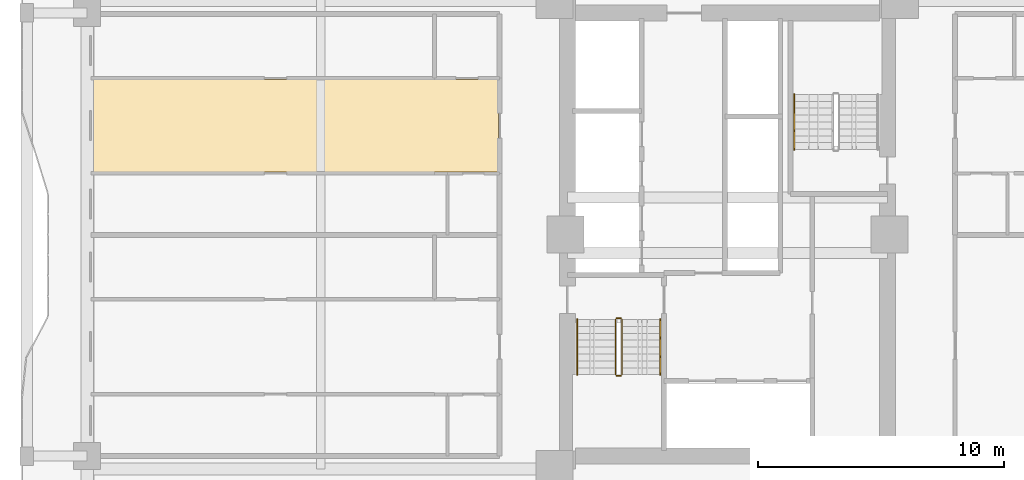
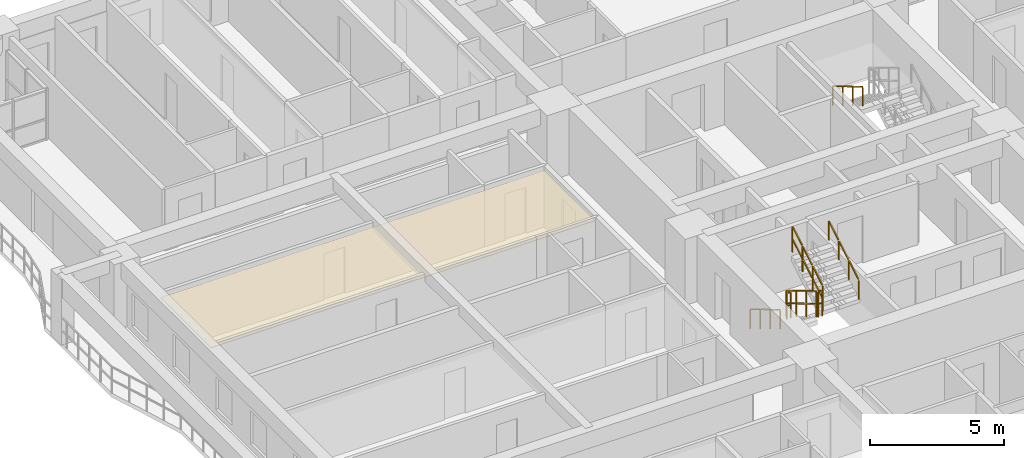
# One storey, part 24 of 27: 7 railings, 1 covering.
"""IFC4 building model written with IfcOpenShell, lengths in metres."""

import ifcopenshell
import ifcopenshell.guid

model = None  # the IFC model being written
_history = None  # IfcOwnerHistory: only IFC2X3 demands one
_inside = {}  # id of a spatial element -> (the spatial element, [elements in it])
_under = {}  # id of a project, library or spatial element -> (it, [spatial elements below it])
_declared = {}  # id of a project -> (the project, [libraries it declares])
_typed = {}  # id of a type object -> (the type object, [elements of that type])
_made_of = {}  # id of a material, layer set ... -> (it, [elements and type objects made of it])


def new_model(schema):
    """Start an empty IFC model of exactly this schema.

    Asked for "IFC4X3", IfcOpenShell would pick the latest addendum, in which some entities
    have other attributes; the version numbers below select the first issue.
    IFC2X3 requires an IfcOwnerHistory on every rooted entity: one is made here for all.
    """
    global model, _history
    if schema == "IFC4X3":
        model = ifcopenshell.file(schema_version=(4, 3, 0, 0))
    else:
        model = ifcopenshell.file(schema=schema)
    _inside.clear()
    _under.clear()
    _declared.clear()
    _typed.clear()
    _made_of.clear()
    _history = None
    if model.schema == "IFC2X3":
        org = make("IfcOrganization", Name="unknown")
        user = make(
            "IfcPersonAndOrganization",
            ThePerson=make("IfcPerson", FamilyName="unknown"),
            TheOrganization=org,
        )
        app = make(
            "IfcApplication",
            ApplicationDeveloper=org,
            Version="unknown",
            ApplicationFullName="unknown",
            ApplicationIdentifier="unknown",
        )
        _history = make(
            "IfcOwnerHistory",
            OwningUser=user,
            OwningApplication=app,
            ChangeAction="ADDED",
            CreationDate=0,
        )
    return model


def make(cls, **values):
    """One entity of the class cls with the attributes given. An attribute that is None is left unset."""
    return model.create_entity(
        cls, **{name: value for name, value in values.items() if value is not None}
    )


def rooted(cls, **values):
    """An entity with a GlobalId (a new one), such as an element, a storey or a relation."""
    return make(cls, GlobalId=ifcopenshell.guid.new(), OwnerHistory=_history, **values)


def si_unit(unit_type, name, prefix=None):
    """IfcSIUnit, for example si_unit("LENGTHUNIT", "METRE", prefix="MILLI")."""
    return make("IfcSIUnit", UnitType=unit_type, Prefix=prefix, Name=name)


def assignment(units):
    """IfcUnitAssignment: the units of a project."""
    return None if units is None else make("IfcUnitAssignment", Units=units)


def point(xyz):
    """IfcCartesianPoint."""
    return None if xyz is None else make("IfcCartesianPoint", Coordinates=xyz)


def direction(xyz):
    """IfcDirection."""
    return None if xyz is None else make("IfcDirection", DirectionRatios=xyz)


def frame(location, z_axis=None, x_axis=None):
    """IfcAxis2Placement3D, a coordinate frame: its origin and axes. An axis left out is left unset."""
    return make(
        "IfcAxis2Placement3D",
        Location=point(location),
        Axis=direction(z_axis),
        RefDirection=direction(x_axis),
    )


def frame_2d(location, x_axis=None):
    """IfcAxis2Placement2D, a coordinate frame in the plane: its origin and x axis."""
    return make(
        "IfcAxis2Placement2D", Location=point(location), RefDirection=direction(x_axis)
    )


def origin():
    """The frame at (0, 0, 0) with its axes left unset."""
    return frame((0.0, 0.0, 0.0))


def origin_2d():
    """The frame at (0, 0) in the plane with its x axis left unset."""
    return frame_2d((0.0, 0.0))


def place(relative_to, where):
    """IfcLocalPlacement: puts the frame where relative to a parent placement (None: the world)."""
    return make(
        "IfcLocalPlacement", PlacementRelTo=relative_to, RelativePlacement=where
    )


def context(
    kind, dimensions, precision=None, world=None, true_north=None, identifier=None
):
    """IfcGeometricRepresentationContext, for example the 3D "Model" context."""
    return make(
        "IfcGeometricRepresentationContext",
        ContextIdentifier=identifier,
        ContextType=kind,
        CoordinateSpaceDimension=dimensions,
        Precision=precision,
        WorldCoordinateSystem=world,
        TrueNorth=true_north,
    )


def subcontext(parent, identifier, kind, view, scale=None):
    """IfcGeometricRepresentationSubContext, for example "Body" below "Model"."""
    return make(
        "IfcGeometricRepresentationSubContext",
        ContextIdentifier=identifier,
        ContextType=kind,
        ParentContext=parent,
        TargetScale=scale,
        TargetView=view,
    )


def project(units=None, contexts=None):
    """IfcProject with its units and contexts."""
    return rooted(
        "IfcProject",
        Name="project",
        RepresentationContexts=contexts,
        UnitsInContext=assignment(units),
    )


def spatial(cls, under=None, at=None, **own):
    """A site, building, storey or space (cls), placed at a placement, below another one or the project."""
    s = rooted(cls, ObjectPlacement=at, **own)
    if under is not None:
        _under.setdefault(under.id(), (under, []))[1].append(s)
    return s


def polyline(points):
    """IfcPolyline through the points."""
    return make("IfcPolyline", Points=[point(p) for p in points])


def profile(cls, at=None, kind="AREA", **sizes):
    """A parametric profile (cls). Its sizes go by their IFC names, for example OverallWidth=200.0."""
    return make(cls, ProfileType=kind, Position=at, **sizes)


def rectangle(**sizes):
    """IfcRectangleProfileDef."""
    return profile("IfcRectangleProfileDef", **sizes)


def outline(outer, holes=None, kind="AREA"):
    """IfcArbitraryClosedProfileDef: a profile drawn as a closed curve; with holes, ...WithVoids."""
    if holes is None:
        return make("IfcArbitraryClosedProfileDef", ProfileType=kind, OuterCurve=outer)
    return make(
        "IfcArbitraryProfileDefWithVoids",
        ProfileType=kind,
        OuterCurve=outer,
        InnerCurves=holes,
    )


def extrude(swept, where, along, depth):
    """IfcExtrudedAreaSolid: the profile swept, set in the frame where, extruded along a direction by depth."""
    return make(
        "IfcExtrudedAreaSolid",
        SweptArea=swept,
        Position=where,
        ExtrudedDirection=direction(along),
        Depth=depth,
    )


def shape(context_of_items, identifier, shape_type, items):
    """IfcShapeRepresentation: the items that make up one representation, for example the "Body"."""
    return make(
        "IfcShapeRepresentation",
        ContextOfItems=context_of_items,
        RepresentationIdentifier=identifier,
        RepresentationType=shape_type,
        Items=items,
    )


def material(Name=None, Category=None):
    """IfcMaterial."""
    return make("IfcMaterial", Name=Name, Category=Category)


def layer(
    of_material, thickness, ventilated=None, Name=None, Category=None, Priority=None
):
    """IfcMaterialLayer: one layer of a wall or slab, of a material (None: an air gap)."""
    return make(
        "IfcMaterialLayer",
        Material=of_material,
        LayerThickness=thickness,
        IsVentilated=ventilated,
        Name=Name,
        Category=Category,
        Priority=Priority,
    )


def layer_set(layers, Name=None):
    """IfcMaterialLayerSet."""
    return make("IfcMaterialLayerSet", MaterialLayers=layers, LayerSetName=Name)


def made_of(thing, what):
    """Note that an element or type object is made of a material, layer set ...; save() writes the relation."""
    if what is not None:
        _made_of.setdefault(what.id(), (what, []))[1].append(thing)
    return thing


def type_object(cls, material=None, **own):
    """A type object (cls), such as IfcWallType, which elements share."""
    return made_of(rooted(cls, **own), material)


def element(
    cls,
    number,
    at=None,
    inside=None,
    cuts=None,
    type_object=None,
    material=None,
    context=None,
    identifier="Body",
    shape_type=None,
    held_by="IfcProductDefinitionShape",
    body=None,
    shapes=None,
    **own,
):
    """One element of the class cls, such as IfcWall. Its Tag is "e" and its number.

    at: its placement. inside: the storey or other place that contains it. cuts: it is an
    opening in that element (IfcRelVoidsElement). A single representation is given by context,
    identifier, shape_type and body (its items); several are given by shapes. held_by: the class
    of the entity that holds the representations. save() writes the other relations.
    """
    e = rooted(cls, Tag="e%d" % number, ObjectPlacement=at, **own)
    if body is not None:
        shapes = [shape(context, identifier, shape_type, body)]
    if shapes is not None:
        e.Representation = make(held_by, Representations=shapes)
    if inside is not None:
        _inside.setdefault(inside.id(), (inside, []))[1].append(e)
    if cuts is not None:
        rooted(
            "IfcRelVoidsElement", RelatingBuildingElement=cuts, RelatedOpeningElement=e
        )
    if type_object is not None:
        _typed.setdefault(type_object.id(), (type_object, []))[1].append(e)
    return made_of(e, material)


def aggregate(whole, parts):
    """IfcRelAggregates: a whole, such as a stair, and the parts it consists of."""
    return rooted("IfcRelAggregates", RelatingObject=whole, RelatedObjects=parts)


def save(model, path):
    """Write the relations noted so far, then the file.

    IfcRelAggregates (storeys below a building ...), IfcRelContainedInSpatialStructure (elements
    in a storey), IfcRelDefinesByType, IfcRelAssociatesMaterial and IfcRelDeclares: one each for
    every whole, place, type object, material and project.
    """
    for whole, parts in _under.values():
        aggregate(whole, parts)
    for where, things in _inside.values():
        rooted(
            "IfcRelContainedInSpatialStructure",
            RelatedElements=things,
            RelatingStructure=where,
        )
    for kind, things in _typed.values():
        rooted("IfcRelDefinesByType", RelatedObjects=things, RelatingType=kind)
    for what, things in _made_of.values():
        rooted("IfcRelAssociatesMaterial", RelatedObjects=things, RelatingMaterial=what)
    for by, libraries in _declared.values():
        rooted("IfcRelDeclares", RelatingContext=by, RelatedDefinitions=libraries)
    model.write(path)


model = new_model("IFC4")

# Units and contexts
model_context = context("Model", 3, precision=1e-05, world=origin(), true_north=direction((0.0, 1.0)))
body_context = subcontext(model_context, "Body", "Model", "MODEL_VIEW")
ifc_project = project(units=[si_unit("LENGTHUNIT", "METRE"), si_unit("AREAUNIT", "SQUARE_METRE"), si_unit("VOLUMEUNIT", "CUBIC_METRE"), si_unit("PLANEANGLEUNIT", "RADIAN"), si_unit("MASSUNIT", "GRAM", prefix="KILO")], contexts=[model_context])

# Site, building, storey
site_placement = place(None, origin())
site = spatial("IfcSite", under=ifc_project, at=site_placement, CompositionType="ELEMENT")
building_placement = place(site_placement, origin())
building = spatial("IfcBuilding", under=site, at=building_placement, Name="Saelheon Loggia Tower", CompositionType="ELEMENT")
storey_placement = place(building_placement, frame((0.0, 0.0, 52.39990234375)))
storey = spatial("IfcBuildingStorey", under=building, at=storey_placement, Name="L16", CompositionType="ELEMENT", Elevation=52.39990234375)

# Covering
ifc_material_1 = material(Name="Mineral-Fibre Acoustic Ceiling Board", Category="gypsum")
ifc_layer = layer(ifc_material_1, 0.02490234375)
ifc_layer_set = layer_set([ifc_layer], Name="Mineral-Fibre Acoustic Ceiling Board")
covering_type = type_object("IfcCoveringType", Name="Cov_Ceiling_Acoustic", PredefinedType="CEILING", material=ifc_layer_set)
covering_placement = place(storey_placement, frame((0.0, 0.0, 2.53515625)))
element("IfcCovering", 1, at=covering_placement, inside=storey, type_object=covering_type, Name="L16 Acoustic Suspended Ceiling", PredefinedType="CEILING", context=body_context, shape_type="SweptSolid", body=[
    extrude(outline(polyline([(12.199951171875, 29.5380859375), (28.699951171875, 29.5380859375), (28.699951171875, 33.300048828125), (12.199951171875, 33.300048828125), (12.199951171875, 29.5380859375)])), origin(), (0.0, 0.0, 1.0), 0.02490234375),
])

# Railings
ifc_material_2 = material(Name="Galvanised Steel S275 Stairwell Guardrail", Category="steel")
railing_type_1 = type_object("IfcRailingType", Name="Guard_StairWell_RL_STG", PredefinedType="GUARDRAIL", material=ifc_material_2)
railing_1_placement = place(storey_placement, frame((33.4599609375, 23.550048828125, 0.166748046875)))
element("IfcRailing", 2, at=railing_1_placement, inside=storey, type_object=railing_type_1, Name="L16 ST1 stair guard 1", PredefinedType="GUARDRAIL", context=body_context, shape_type="SweptSolid", body=[
    extrude(rectangle(XDim=0.048095703125, YDim=0.048095703125, at=origin_2d()), frame((0.0, -0.028564453125, 1.19287109375), z_axis=(0.0, -0.859305625298, 0.511462454469), x_axis=(1.0, 0.0, 0.0)), (0.0, 0.0, 1.0), 0.802490234375),
    extrude(rectangle(XDim=0.048095703125, YDim=0.048095703125, at=origin_2d()), frame((0.0, -0.028564453125, 0.616943359375), z_axis=(0.0, -0.859305625298, 0.511462454469), x_axis=(1.0, 0.0, 0.0)), (0.0, 0.0, 1.0), 0.802490234375),
    extrude(rectangle(XDim=0.048095703125, YDim=0.048095703125, at=origin_2d()), frame((0.0, -0.775146484375, 1.63720703125), z_axis=(0.0, -0.859305625298, 0.511462454469), x_axis=(1.0, 0.0, 0.0)), (0.0, 0.0, 1.0), 0.802490234375),
    extrude(rectangle(XDim=0.048095703125, YDim=0.048095703125, at=origin_2d()), frame((0.0, -0.775146484375, 1.061279296875), z_axis=(0.0, -0.859305625298, 0.511462454469), x_axis=(1.0, 0.0, 0.0)), (0.0, 0.0, 1.0), 0.802490234375),
    extrude(rectangle(XDim=0.048095703125, YDim=0.048095703125, at=origin_2d()), frame((0.0, -1.52197265625, 2.081787109375), z_axis=(0.0, -0.859305625298, 0.511462454469), x_axis=(1.0, 0.0, 0.0)), (0.0, 0.0, 1.0), 0.802490234375),
    extrude(rectangle(XDim=0.048095703125, YDim=0.048095703125, at=origin_2d()), frame((0.0, -1.52197265625, 1.505859375), z_axis=(0.0, -0.859305625298, 0.511462454469), x_axis=(1.0, 0.0, 0.0)), (0.0, 0.0, 1.0), 0.802490234375),
    extrude(rectangle(XDim=0.0419921875, YDim=0.0419921875, at=origin_2d()), origin(), (0.0, 0.0, 1.0), 1.14794921875),
    extrude(rectangle(XDim=0.0419921875, YDim=0.0419921875, at=origin_2d()), frame((0.0, -0.74658203125, 0.4443359375)), (0.0, 0.0, 1.0), 1.14794921875),
    extrude(rectangle(XDim=0.0419921875, YDim=0.0419921875, at=origin_2d()), frame((0.0, -1.493408203125, 0.888916015625)), (0.0, 0.0, 1.0), 1.14794921875),
    extrude(rectangle(XDim=0.0419921875, YDim=0.0419921875, at=origin_2d()), frame((0.0, -2.239990234375, 1.333251953125)), (0.0, 0.0, 1.0), 1.14794921875),
])
railing_2_placement = place(storey_placement, frame((33.510009765625, 21.260009765625, 1.5)))
element("IfcRailing", 3, at=railing_2_placement, inside=storey, type_object=railing_type_1, Name="L16 ST1 stair guard 2", PredefinedType="GUARDRAIL", context=body_context, shape_type="SweptSolid", body=[
    extrude(rectangle(XDim=0.048095703125, YDim=0.048095703125, at=origin_2d()), frame((0.033203125, 0.0, 1.17578125), z_axis=(1.0, 0.0, 0.0), x_axis=(0.0, 1.0, 0.0)), (0.0, 0.0, 1.0), 0.093505859375),
    extrude(rectangle(XDim=0.048095703125, YDim=0.048095703125, at=origin_2d()), frame((0.033203125, 0.0, 0.60009765625), z_axis=(1.0, 0.0, 0.0), x_axis=(0.0, 1.0, 0.0)), (0.0, 0.0, 1.0), 0.093505859375),
    extrude(rectangle(XDim=0.0419921875, YDim=0.0419921875, at=origin_2d()), origin(), (0.0, 0.0, 1.0), 1.14794921875),
    extrude(rectangle(XDim=0.0419921875, YDim=0.0419921875, at=origin_2d()), frame((0.159912109375, 0.0, 0.0)), (0.0, 0.0, 1.0), 1.14794921875),
])
railing_3_placement = place(storey_placement, frame((33.719970703125, 21.31005859375, 1.666748046875)))
element("IfcRailing", 4, at=railing_3_placement, inside=storey, type_object=railing_type_1, Name="L16 ST1 stair guard 3", PredefinedType="GUARDRAIL", context=body_context, shape_type="SweptSolid", body=[
    extrude(rectangle(XDim=0.048095703125, YDim=0.048095703125, at=origin_2d()), frame((0.0, 0.028564453125, 1.19287109375), z_axis=(0.0, 0.859305625298, 0.511462454469), x_axis=(-1.0, 0.0, 0.0)), (0.0, 0.0, 1.0), 0.802490234375),
    extrude(rectangle(XDim=0.048095703125, YDim=0.048095703125, at=origin_2d()), frame((0.0, 0.028564453125, 0.616943359375), z_axis=(0.0, 0.859305625298, 0.511462454469), x_axis=(-1.0, 0.0, 0.0)), (0.0, 0.0, 1.0), 0.802490234375),
    extrude(rectangle(XDim=0.048095703125, YDim=0.048095703125, at=origin_2d()), frame((0.0, 0.775146484375, 1.63720703125), z_axis=(0.0, 0.859305625298, 0.511462454469), x_axis=(-1.0, 0.0, 0.0)), (0.0, 0.0, 1.0), 0.802490234375),
    extrude(rectangle(XDim=0.048095703125, YDim=0.048095703125, at=origin_2d()), frame((0.0, 0.775146484375, 1.061279296875), z_axis=(0.0, 0.859305625298, 0.511462454469), x_axis=(-1.0, 0.0, 0.0)), (0.0, 0.0, 1.0), 0.802490234375),
    extrude(rectangle(XDim=0.048095703125, YDim=0.048095703125, at=origin_2d()), frame((0.0, 1.52197265625, 2.081787109375), z_axis=(0.0, 0.859305625298, 0.511462454469), x_axis=(-1.0, 0.0, 0.0)), (0.0, 0.0, 1.0), 0.802490234375),
    extrude(rectangle(XDim=0.048095703125, YDim=0.048095703125, at=origin_2d()), frame((0.0, 1.52197265625, 1.505859375), z_axis=(0.0, 0.859305625298, 0.511462454469), x_axis=(-1.0, 0.0, 0.0)), (0.0, 0.0, 1.0), 0.802490234375),
    extrude(rectangle(XDim=0.0419921875, YDim=0.0419921875, at=origin_2d()), origin(), (0.0, 0.0, 1.0), 1.14794921875),
    extrude(rectangle(XDim=0.0419921875, YDim=0.0419921875, at=origin_2d()), frame((0.0, 0.74658203125, 0.4443359375)), (0.0, 0.0, 1.0), 1.14794921875),
    extrude(rectangle(XDim=0.0419921875, YDim=0.0419921875, at=origin_2d()), frame((0.0, 1.493408203125, 0.888916015625)), (0.0, 0.0, 1.0), 1.14794921875),
    extrude(rectangle(XDim=0.0419921875, YDim=0.0419921875, at=origin_2d()), frame((0.0, 2.239990234375, 1.333251953125)), (0.0, 0.0, 1.0), 1.14794921875),
])
railing_4_placement = place(storey_placement, frame((33.510009765625, 23.60009765625, 0.0)))
element("IfcRailing", 5, at=railing_4_placement, inside=storey, type_object=railing_type_1, Name="L16 ST1 stair guard 4", PredefinedType="GUARDRAIL", context=body_context, shape_type="SweptSolid", body=[
    extrude(rectangle(XDim=0.048095703125, YDim=0.048095703125, at=origin_2d()), frame((0.033203125, 0.0, 1.17578125), z_axis=(1.0, 0.0, 0.0), x_axis=(0.0, 1.0, 0.0)), (0.0, 0.0, 1.0), 0.093505859375),
    extrude(rectangle(XDim=0.048095703125, YDim=0.048095703125, at=origin_2d()), frame((0.033203125, 0.0, 0.60009765625), z_axis=(1.0, 0.0, 0.0), x_axis=(0.0, 1.0, 0.0)), (0.0, 0.0, 1.0), 0.093505859375),
    extrude(rectangle(XDim=0.0419921875, YDim=0.0419921875, at=origin_2d()), origin(), (0.0, 0.0, 1.0), 1.14794921875),
    extrude(rectangle(XDim=0.0419921875, YDim=0.0419921875, at=origin_2d()), frame((0.159912109375, 0.0, 0.0)), (0.0, 0.0, 1.0), 1.14794921875),
])
ifc_material_3 = material(Name="Stainless Steel 304 Tubular Handrail", Category="steel")
railing_type_2 = type_object("IfcRailingType", Name="Handrail_Stair_RL_HR1", PredefinedType="HANDRAIL", material=ifc_material_3)
railing_5_placement = place(storey_placement, frame((31.89990234375, 23.550048828125, 0.166748046875)))
element("IfcRailing", 6, at=railing_5_placement, inside=storey, type_object=railing_type_2, Name="L16 ST1 stair handrail 1", PredefinedType="HANDRAIL", context=body_context, shape_type="SweptSolid", body=[
    extrude(rectangle(XDim=0.048095703125, YDim=0.048095703125, at=origin_2d()), frame((0.0, -0.028564453125, 0.892822265625), z_axis=(0.0, -0.859305625298, 0.511462454469), x_axis=(1.0, 0.0, 0.0)), (0.0, 0.0, 1.0), 0.802490234375),
    extrude(rectangle(XDim=0.048095703125, YDim=0.048095703125, at=origin_2d()), frame((0.0, -0.775146484375, 1.337158203125), z_axis=(0.0, -0.859305625298, 0.511462454469), x_axis=(1.0, 0.0, 0.0)), (0.0, 0.0, 1.0), 0.802490234375),
    extrude(rectangle(XDim=0.048095703125, YDim=0.048095703125, at=origin_2d()), frame((0.0, -1.52197265625, 1.78173828125), z_axis=(0.0, -0.859305625298, 0.511462454469), x_axis=(1.0, 0.0, 0.0)), (0.0, 0.0, 1.0), 0.802490234375),
    extrude(rectangle(XDim=0.0419921875, YDim=0.0419921875, at=origin_2d()), origin(), (0.0, 0.0, 1.0), 0.847900390625),
    extrude(rectangle(XDim=0.0419921875, YDim=0.0419921875, at=origin_2d()), frame((0.0, -0.74658203125, 0.4443359375)), (0.0, 0.0, 1.0), 0.847900390625),
    extrude(rectangle(XDim=0.0419921875, YDim=0.0419921875, at=origin_2d()), frame((0.0, -1.493408203125, 0.888916015625)), (0.0, 0.0, 1.0), 0.847900390625),
    extrude(rectangle(XDim=0.0419921875, YDim=0.0419921875, at=origin_2d()), frame((0.0, -2.239990234375, 1.333251953125)), (0.0, 0.0, 1.0), 0.847900390625),
])
railing_6_placement = place(storey_placement, frame((35.280029296875, 21.31005859375, 1.666748046875)))
element("IfcRailing", 7, at=railing_6_placement, inside=storey, type_object=railing_type_2, Name="L16 ST1 stair handrail 2", PredefinedType="HANDRAIL", context=body_context, shape_type="SweptSolid", body=[
    extrude(rectangle(XDim=0.048095703125, YDim=0.048095703125, at=origin_2d()), frame((0.0, 0.028564453125, 0.892822265625), z_axis=(0.0, 0.859305625298, 0.511462454469), x_axis=(-1.0, 0.0, 0.0)), (0.0, 0.0, 1.0), 0.802490234375),
    extrude(rectangle(XDim=0.048095703125, YDim=0.048095703125, at=origin_2d()), frame((0.0, 0.775146484375, 1.337158203125), z_axis=(0.0, 0.859305625298, 0.511462454469), x_axis=(-1.0, 0.0, 0.0)), (0.0, 0.0, 1.0), 0.802490234375),
    extrude(rectangle(XDim=0.048095703125, YDim=0.048095703125, at=origin_2d()), frame((0.0, 1.52197265625, 1.78173828125), z_axis=(0.0, 0.859305625298, 0.511462454469), x_axis=(-1.0, 0.0, 0.0)), (0.0, 0.0, 1.0), 0.802490234375),
    extrude(rectangle(XDim=0.0419921875, YDim=0.0419921875, at=origin_2d()), origin(), (0.0, 0.0, 1.0), 0.847900390625),
    extrude(rectangle(XDim=0.0419921875, YDim=0.0419921875, at=origin_2d()), frame((0.0, 0.74658203125, 0.4443359375)), (0.0, 0.0, 1.0), 0.847900390625),
    extrude(rectangle(XDim=0.0419921875, YDim=0.0419921875, at=origin_2d()), frame((0.0, 1.493408203125, 0.888916015625)), (0.0, 0.0, 1.0), 0.847900390625),
    extrude(rectangle(XDim=0.0419921875, YDim=0.0419921875, at=origin_2d()), frame((0.0, 2.239990234375, 1.333251953125)), (0.0, 0.0, 1.0), 0.847900390625),
])
railing_7_placement = place(storey_placement, frame((40.719970703125, 32.68994140625, 1.666748046875)))
element("IfcRailing", 8, at=railing_7_placement, inside=storey, type_object=railing_type_2, Name="L16 ST2 stair handrail 2", PredefinedType="HANDRAIL", context=body_context, shape_type="SweptSolid", body=[
    extrude(rectangle(XDim=0.048095703125, YDim=0.048095703125, at=origin_2d()), frame((0.0, -0.028564453125, 0.892822265625), z_axis=(0.0, -0.859305625298, 0.511462454469), x_axis=(1.0, 0.0, 0.0)), (0.0, 0.0, 1.0), 0.802490234375),
    extrude(rectangle(XDim=0.048095703125, YDim=0.048095703125, at=origin_2d()), frame((0.0, -0.775146484375, 1.337158203125), z_axis=(0.0, -0.859305625298, 0.511462454469), x_axis=(1.0, 0.0, 0.0)), (0.0, 0.0, 1.0), 0.802490234375),
    extrude(rectangle(XDim=0.048095703125, YDim=0.048095703125, at=origin_2d()), frame((0.0, -1.52197265625, 1.78173828125), z_axis=(0.0, -0.859305625298, 0.511462454469), x_axis=(1.0, 0.0, 0.0)), (0.0, 0.0, 1.0), 0.802490234375),
    extrude(rectangle(XDim=0.0419921875, YDim=0.0419921875, at=origin_2d()), origin(), (0.0, 0.0, 1.0), 0.847900390625),
    extrude(rectangle(XDim=0.0419921875, YDim=0.0419921875, at=origin_2d()), frame((0.0, -0.74658203125, 0.4443359375)), (0.0, 0.0, 1.0), 0.847900390625),
    extrude(rectangle(XDim=0.0419921875, YDim=0.0419921875, at=origin_2d()), frame((0.0, -1.493408203125, 0.888916015625)), (0.0, 0.0, 1.0), 0.847900390625),
    extrude(rectangle(XDim=0.0419921875, YDim=0.0419921875, at=origin_2d()), frame((0.0, -2.239990234375, 1.333251953125)), (0.0, 0.0, 1.0), 0.847900390625),
])

save(model, "model.ifc")
